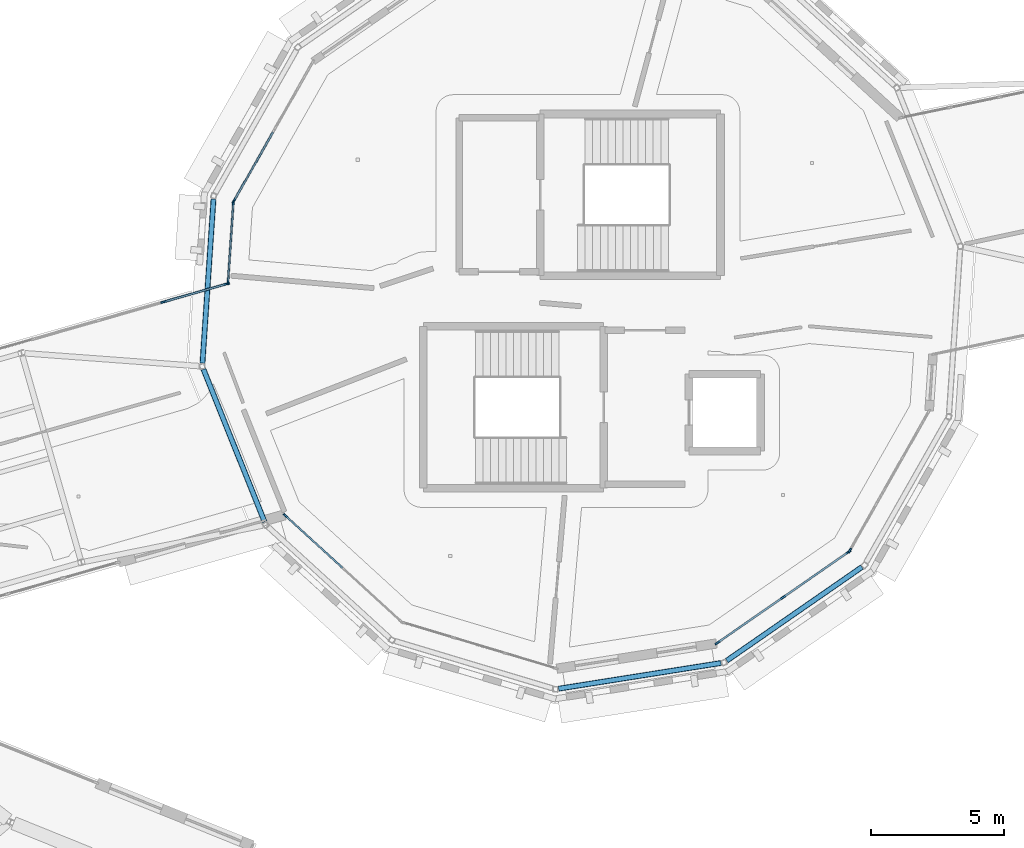
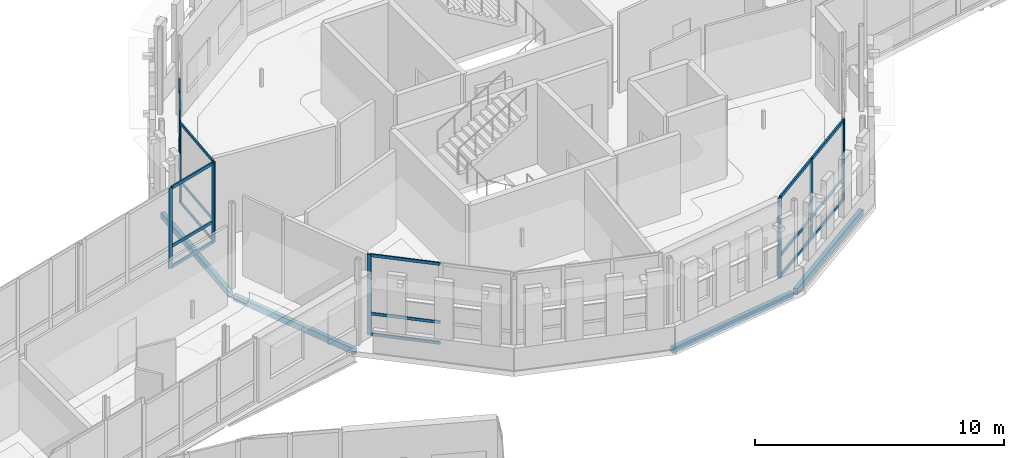
# One storey, part 48 of 125: 28 members, 4 beams, 6 elements without a shape of their own.
"""IFC4 building model written with IfcOpenShell, lengths in metres."""

from ifc_helpers import new_model, si_unit, direction, frame, origin, origin_2d, place, context, subcontext, project, spatial, rectangle, hollow_rectangle, extrude, material, material_profile, profile_set, type_object, element, aggregate, save


model = new_model("IFC4")

# Units and contexts
model_context = context("Model", 3, precision=1e-05, world=origin(), true_north=direction((0.0, 1.0)))
body_context = subcontext(model_context, "Body", "Model", "MODEL_VIEW")
ifc_project = project(units=[si_unit("LENGTHUNIT", "METRE"), si_unit("AREAUNIT", "SQUARE_METRE"), si_unit("VOLUMEUNIT", "CUBIC_METRE"), si_unit("PLANEANGLEUNIT", "RADIAN"), si_unit("MASSUNIT", "GRAM", prefix="KILO")], contexts=[model_context])

# Site, building, storey
site_placement = place(None, origin())
site = spatial("IfcSite", under=ifc_project, at=site_placement, CompositionType="ELEMENT")
building_placement = place(site_placement, origin())
building = spatial("IfcBuilding", under=site, at=building_placement, Name="Wrenclough Park School", CompositionType="ELEMENT")
storey_placement = place(building_placement, frame((0.0, 0.0, 4.199951171875)))
storey = spatial("IfcBuildingStorey", under=building, at=storey_placement, Name="L01", CompositionType="ELEMENT", Elevation=4.199951171875)

# Curtain wall, members
ifc_material_1 = material(Name="Thermally broken aluminium and low-e glass curtain wall", Category="aluminium")
curtain_wall_type_1 = type_object("IfcCurtainWallType", Name="ENV-CW-07", PredefinedType="USERDEFINED", material=ifc_material_1)
curtain_wall_1_placement = place(storey_placement, origin())
curtain_wall_1 = element("IfcCurtainWall", 1, at=curtain_wall_1_placement, inside=storey, type_object=curtain_wall_type_1, Name="L01 recessed curtain wall assembly 102", ObjectType="CURTAIN WALL", PredefinedType="USERDEFINED")
ifc_material_2 = material(Name="Thermally broken anodised aluminium", Category="aluminium")
ifc_material_profile_1 = material_profile(ifc_material_2, rectangle(XDim=0.06005859375, YDim=0.159912109375, at=origin_2d()), Name="AL MULLION 60x160")
ifc_profile_set_1 = profile_set([ifc_material_profile_1], Name="Thermally broken anodised aluminium")
member_type_1 = type_object("IfcMemberType", Name="ENV-CWM-1", PredefinedType="MULLION", material=ifc_profile_set_1)
member_1_placement = place(storey_placement, frame((69.69580078125, 109.391357421875, 0.0), z_axis=(0.0, 0.0, 1.0), x_axis=(-0.997735962983, 0.067252867383, 0.0)))
member_1 = element("IfcMember", 2, at=member_1_placement, type_object=member_type_1, Name="CW-07 mullion 1", PredefinedType="MULLION", context=body_context, shape_type="SweptSolid", body=[
    extrude(rectangle(XDim=0.06005859375, YDim=0.159912109375, at=origin_2d()), origin(), (0.0, 0.0, 1.0), 3.93994140625),
])
member_2_placement = place(storey_placement, frame((69.898681640625, 112.3994140625, 0.0), z_axis=(0.0, 0.0, 1.0), x_axis=(-0.997735962983, 0.067252867383, 0.0)))
member_2 = element("IfcMember", 3, at=member_2_placement, type_object=member_type_1, Name="CW-07 mullion 2", PredefinedType="MULLION", context=body_context, shape_type="SweptSolid", body=[
    extrude(rectangle(XDim=0.06005859375, YDim=0.159912109375, at=origin_2d()), origin(), (0.0, 0.0, 1.0), 3.93994140625),
])

# Curtain wall, member
curtain_wall_type_2 = type_object("IfcCurtainWallType", Name="ENV-CW-08", PredefinedType="USERDEFINED", material=ifc_material_1)
curtain_wall_2_placement = place(storey_placement, origin())
curtain_wall_2 = element("IfcCurtainWall", 4, at=curtain_wall_2_placement, inside=storey, type_object=curtain_wall_type_2, Name="L01 recessed curtain wall assembly 103", ObjectType="CURTAIN WALL", PredefinedType="USERDEFINED")
ifc_material_profile_2 = material_profile(ifc_material_2, rectangle(XDim=0.06494140625, YDim=0.179931640625, at=origin_2d()), Name="AL MULLION 65x180")
ifc_profile_set_2 = profile_set([ifc_material_profile_2], Name="Thermally broken anodised aluminium")
member_type_2 = type_object("IfcMemberType", Name="ENV-CWM-2", PredefinedType="MULLION", material=ifc_profile_set_2)
member_3_placement = place(storey_placement, frame((69.9189453125, 112.465087890625, 0.0), z_axis=(0.0, 0.0, 1.0), x_axis=(-0.869745456163, 0.493500599274, 0.0)))
member_3 = element("IfcMember", 5, at=member_3_placement, type_object=member_type_2, Name="CW-08 mullion 1", PredefinedType="MULLION", context=body_context, shape_type="SweptSolid", body=[
    extrude(rectangle(XDim=0.06494140625, YDim=0.179931640625, at=origin_2d()), origin(), (0.0, 0.0, 1.0), 3.93994140625),
])

curtain_wall_3_placement = place(storey_placement, origin())
curtain_wall_3 = element("IfcCurtainWall", 6, at=curtain_wall_3_placement, inside=storey, type_object=curtain_wall_type_1, Name="L01 recessed curtain wall assembly 166", ObjectType="CURTAIN WALL", PredefinedType="USERDEFINED")
member_4_placement = place(storey_placement, frame((93.113037109375, 99.30419921875, 0.0), z_axis=(0.0, 0.0, 1.0), x_axis=(0.869745456163, -0.493500599274, 0.0)))
member_4 = element("IfcMember", 7, at=member_4_placement, type_object=member_type_2, Name="CW-07 mullion 4", PredefinedType="MULLION", context=body_context, shape_type="SweptSolid", body=[
    extrude(rectangle(XDim=0.06494140625, YDim=0.179931640625, at=origin_2d()), origin(), (0.0, 0.0, 1.0), 3.93994140625),
])
aggregate(curtain_wall_3, [member_4])

curtain_wall_type_3 = type_object("IfcCurtainWallType", Name="ENV-CW-10", PredefinedType="USERDEFINED", material=ifc_material_1)
curtain_wall_4_placement = place(storey_placement, origin())
curtain_wall_4 = element("IfcCurtainWall", 8, at=curtain_wall_4_placement, inside=storey, type_object=curtain_wall_type_3, Name="L01 recessed curtain wall assembly 169", ObjectType="CURTAIN WALL", PredefinedType="USERDEFINED")
member_5_placement = place(storey_placement, frame((71.853271484375, 100.623779296875, 0.0), z_axis=(0.0, 0.0, 1.0), x_axis=(-0.67466857393, -0.738120799972, 0.0)))
member_5 = element("IfcMember", 9, at=member_5_placement, type_object=member_type_2, Name="CW-10 mullion 3", PredefinedType="MULLION", context=body_context, shape_type="SweptSolid", body=[
    extrude(rectangle(XDim=0.06494140625, YDim=0.179931640625, at=origin_2d()), origin(), (0.0, 0.0, 1.0), 3.93994140625),
])

# Curtain wall, members
curtain_wall_type_4 = type_object("IfcCurtainWallType", Name="ENV-CW-06", PredefinedType="USERDEFINED", material=ifc_material_1)
curtain_wall_5_placement = place(storey_placement, origin())
curtain_wall_5 = element("IfcCurtainWall", 10, at=curtain_wall_5_placement, inside=storey, type_object=curtain_wall_type_4, Name="L01 recessed curtain wall assembly 101", ObjectType="CURTAIN WALL", PredefinedType="USERDEFINED")
ifc_material_profile_3 = material_profile(ifc_material_2, rectangle(XDim=0.070068359375, YDim=0.199951171875, at=origin_2d()), Name="AL MULLION 70x200")
ifc_profile_set_3 = profile_set([ifc_material_profile_3], Name="Thermally broken anodised aluminium")
member_type_3 = type_object("IfcMemberType", Name="ENV-CWM-3", PredefinedType="MULLION", material=ifc_profile_set_3)
member_6_placement = place(storey_placement, frame((67.264404296875, 108.663330078125, 0.0), z_axis=(0.0, 0.0, 1.0), x_axis=(-0.274714146361, 0.961525942338, 0.0)))
member_6 = element("IfcMember", 11, at=member_6_placement, type_object=member_type_3, Name="CW-06 mullion 3", PredefinedType="MULLION", context=body_context, shape_type="SweptSolid", body=[
    extrude(rectangle(XDim=0.070068359375, YDim=0.199951171875, at=origin_2d()), origin(), (0.0, 0.0, 1.0), 3.93994140625),
])
member_7_placement = place(storey_placement, frame((69.656005859375, 109.3466796875, 0.0), z_axis=(0.0, 0.0, 1.0), x_axis=(-0.274714146361, 0.961525942338, 0.0)))
member_7 = element("IfcMember", 12, at=member_7_placement, type_object=member_type_3, Name="CW-06 mullion 4", PredefinedType="MULLION", context=body_context, shape_type="SweptSolid", body=[
    extrude(rectangle(XDim=0.070068359375, YDim=0.199951171875, at=origin_2d()), origin(), (0.0, 0.0, 1.0), 3.93994140625),
])

curtain_wall_6_placement = place(storey_placement, origin())
curtain_wall_6 = element("IfcCurtainWall", 13, at=curtain_wall_6_placement, inside=storey, type_object=curtain_wall_type_2, Name="L01 recessed curtain wall assembly 167", ObjectType="CURTAIN WALL", PredefinedType="USERDEFINED")
member_8_placement = place(storey_placement, frame((93.06298828125, 99.250244140625, 0.0), z_axis=(0.0, 0.0, 1.0), x_axis=(0.569486266638, -0.822000846783, 0.0)))
member_8 = element("IfcMember", 14, at=member_8_placement, type_object=member_type_3, Name="CW-08 mullion 1", PredefinedType="MULLION", context=body_context, shape_type="SweptSolid", body=[
    extrude(rectangle(XDim=0.070068359375, YDim=0.199951171875, at=origin_2d()), origin(), (0.0, 0.0, 1.0), 3.93994140625),
])
member_9_placement = place(storey_placement, frame((90.593505859375, 97.539306640625, 0.0), z_axis=(0.0, 0.0, 1.0), x_axis=(0.569486266638, -0.822000846783, 0.0)))
member_9 = element("IfcMember", 15, at=member_9_placement, type_object=member_type_3, Name="CW-08 mullion 2", PredefinedType="MULLION", context=body_context, shape_type="SweptSolid", body=[
    extrude(rectangle(XDim=0.070068359375, YDim=0.199951171875, at=origin_2d()), origin(), (0.0, 0.0, 1.0), 3.93994140625),
])
member_10_placement = place(storey_placement, frame((88.1240234375, 95.828369140625, 0.0), z_axis=(0.0, 0.0, 1.0), x_axis=(0.569486266638, -0.822000846783, 0.0)))
member_10 = element("IfcMember", 16, at=member_10_placement, type_object=member_type_3, Name="CW-08 mullion 3", PredefinedType="MULLION", context=body_context, shape_type="SweptSolid", body=[
    extrude(rectangle(XDim=0.070068359375, YDim=0.199951171875, at=origin_2d()), origin(), (0.0, 0.0, 1.0), 3.93994140625),
])

# Member
ifc_material_profile_4 = material_profile(ifc_material_2, rectangle(XDim=0.06005859375, YDim=0.1201171875, at=origin_2d()), Name="AL TRANSOM 60x120")
ifc_profile_set_4 = profile_set([ifc_material_profile_4], Name="Thermally broken anodised aluminium")
member_type_4 = type_object("IfcMemberType", Name="ENV-CWT-1", PredefinedType="USERDEFINED", material=ifc_profile_set_4)
member_11_placement = place(storey_placement, frame((69.69775390625, 109.421142578125, 0.030029296875), z_axis=(0.067248267471, 0.997736273031, 0.0), x_axis=(-0.997736273031, 0.067248267471, 0.0)))
member_11 = element("IfcMember", 17, at=member_11_placement, type_object=member_type_4, Name="CW-07 transom 1.1", ObjectType="TRANSOM", PredefinedType="USERDEFINED", context=body_context, shape_type="SweptSolid", body=[
    extrude(rectangle(XDim=0.06005859375, YDim=0.1201171875, at=origin_2d()), origin(), (0.0, 0.0, 1.0), 2.955078125),
])

member_12_placement = place(storey_placement, frame((69.69775390625, 109.421142578125, 1.050048828125), z_axis=(0.067248267471, 0.997736273031, 0.0), x_axis=(-0.997736273031, 0.067248267471, 0.0)))
member_12 = element("IfcMember", 18, at=member_12_placement, type_object=member_type_4, Name="CW-07 transom 1.2", ObjectType="TRANSOM", PredefinedType="USERDEFINED", context=body_context, shape_type="SweptSolid", body=[
    extrude(rectangle(XDim=0.06005859375, YDim=0.1201171875, at=origin_2d()), origin(), (0.0, 0.0, 1.0), 2.955078125),
])

member_13_placement = place(storey_placement, frame((69.69775390625, 109.421142578125, 3.91015625), z_axis=(0.067248267471, 0.997736273031, 0.0), x_axis=(-0.997736273031, 0.067248267471, 0.0)))
member_13 = element("IfcMember", 19, at=member_13_placement, type_object=member_type_4, Name="CW-07 transom 1.3", ObjectType="TRANSOM", PredefinedType="USERDEFINED", context=body_context, shape_type="SweptSolid", body=[
    extrude(rectangle(XDim=0.06005859375, YDim=0.1201171875, at=origin_2d()), origin(), (0.0, 0.0, 1.0), 2.955078125),
])

aggregate(curtain_wall_1, [member_1, member_2, member_11, member_12, member_13])

ifc_material_profile_5 = material_profile(ifc_material_2, rectangle(XDim=0.06494140625, YDim=0.139892578125, at=origin_2d()), Name="AL TRANSOM 65x140")
ifc_profile_set_5 = profile_set([ifc_material_profile_5], Name="Thermally broken anodised aluminium")
member_type_5 = type_object("IfcMemberType", Name="ENV-CWT-2", PredefinedType="USERDEFINED", material=ifc_profile_set_5)
member_14_placement = place(storey_placement, frame((69.93505859375, 112.493408203125, 0.032470703125), z_axis=(0.493500342826, 0.869745601674, 0.0), x_axis=(-0.869745601674, 0.493500342826, 0.0)))
member_14 = element("IfcMember", 20, at=member_14_placement, type_object=member_type_5, Name="CW-08 transom 1.1", ObjectType="TRANSOM", PredefinedType="USERDEFINED", context=body_context, shape_type="SweptSolid", body=[
    extrude(rectangle(XDim=0.06494140625, YDim=0.139892578125, at=origin_2d()), origin(), (0.0, 0.0, 1.0), 2.942138671875),
])

member_15_placement = place(storey_placement, frame((69.93505859375, 112.493408203125, 1.050048828125), z_axis=(0.493500342826, 0.869745601674, 0.0), x_axis=(-0.869745601674, 0.493500342826, 0.0)))
member_15 = element("IfcMember", 21, at=member_15_placement, type_object=member_type_5, Name="CW-08 transom 1.2", ObjectType="TRANSOM", PredefinedType="USERDEFINED", context=body_context, shape_type="SweptSolid", body=[
    extrude(rectangle(XDim=0.06494140625, YDim=0.139892578125, at=origin_2d()), origin(), (0.0, 0.0, 1.0), 2.942138671875),
])

member_16_placement = place(storey_placement, frame((69.93505859375, 112.493408203125, 3.907470703125), z_axis=(0.493500342826, 0.869745601674, 0.0), x_axis=(-0.869745601674, 0.493500342826, 0.0)))
member_16 = element("IfcMember", 22, at=member_16_placement, type_object=member_type_5, Name="CW-08 transom 1.3", ObjectType="TRANSOM", PredefinedType="USERDEFINED", context=body_context, shape_type="SweptSolid", body=[
    extrude(rectangle(XDim=0.06494140625, YDim=0.139892578125, at=origin_2d()), origin(), (0.0, 0.0, 1.0), 2.942138671875),
])

aggregate(curtain_wall_2, [member_3, member_14, member_15, member_16])

member_17_placement = place(storey_placement, frame((74.014404296875, 98.6484375, 0.032470703125), z_axis=(-0.738101997334, 0.67468914437, 0.0), x_axis=(-0.67468914437, -0.738101997334, 0.0)))
member_17 = element("IfcMember", 23, at=member_17_placement, type_object=member_type_5, Name="CW-10 transom 2.1", ObjectType="TRANSOM", PredefinedType="USERDEFINED", context=body_context, shape_type="SweptSolid", body=[
    extrude(rectangle(XDim=0.06494140625, YDim=0.139892578125, at=origin_2d()), origin(), (0.0, 0.0, 1.0), 2.895263671875),
])

member_18_placement = place(storey_placement, frame((74.014404296875, 98.6484375, 1.050048828125), z_axis=(-0.738101997334, 0.67468914437, 0.0), x_axis=(-0.67468914437, -0.738101997334, 0.0)))
member_18 = element("IfcMember", 24, at=member_18_placement, type_object=member_type_5, Name="CW-10 transom 2.2", ObjectType="TRANSOM", PredefinedType="USERDEFINED", context=body_context, shape_type="SweptSolid", body=[
    extrude(rectangle(XDim=0.06494140625, YDim=0.139892578125, at=origin_2d()), origin(), (0.0, 0.0, 1.0), 2.895263671875),
])

member_19_placement = place(storey_placement, frame((74.014404296875, 98.6484375, 3.907470703125), z_axis=(-0.738101997334, 0.67468914437, 0.0), x_axis=(-0.67468914437, -0.738101997334, 0.0)))
member_19 = element("IfcMember", 25, at=member_19_placement, type_object=member_type_5, Name="CW-10 transom 2.3", ObjectType="TRANSOM", PredefinedType="USERDEFINED", context=body_context, shape_type="SweptSolid", body=[
    extrude(rectangle(XDim=0.06494140625, YDim=0.139892578125, at=origin_2d()), origin(), (0.0, 0.0, 1.0), 2.895263671875),
])

aggregate(curtain_wall_4, [member_5, member_17, member_18, member_19])

ifc_material_profile_6 = material_profile(ifc_material_2, rectangle(XDim=0.070068359375, YDim=0.14990234375, at=origin_2d()), Name="AL TRANSOM 70x150")
ifc_profile_set_6 = profile_set([ifc_material_profile_6], Name="Thermally broken anodised aluminium")
member_type_6 = type_object("IfcMemberType", Name="ENV-CWT-3", PredefinedType="USERDEFINED", material=ifc_profile_set_6)
member_20_placement = place(storey_placement, frame((67.298095703125, 108.673095703125, 0.03515625), z_axis=(0.961523947641, 0.274721127897, 0.0), x_axis=(-0.274721127897, 0.961523947641, 0.0)))
member_20 = element("IfcMember", 26, at=member_20_placement, type_object=member_type_6, Name="CW-06 transom 3.1", ObjectType="TRANSOM", PredefinedType="USERDEFINED", context=body_context, shape_type="SweptSolid", body=[
    extrude(rectangle(XDim=0.070068359375, YDim=0.14990234375, at=origin_2d()), origin(), (0.0, 0.0, 1.0), 2.417236328125),
])

member_21_placement = place(storey_placement, frame((67.298095703125, 108.673095703125, 1.050048828125), z_axis=(0.961523947641, 0.274721127897, 0.0), x_axis=(-0.274721127897, 0.961523947641, 0.0)))
member_21 = element("IfcMember", 27, at=member_21_placement, type_object=member_type_6, Name="CW-06 transom 3.2", ObjectType="TRANSOM", PredefinedType="USERDEFINED", context=body_context, shape_type="SweptSolid", body=[
    extrude(rectangle(XDim=0.070068359375, YDim=0.14990234375, at=origin_2d()), origin(), (0.0, 0.0, 1.0), 2.417236328125),
])

member_22_placement = place(storey_placement, frame((67.298095703125, 108.673095703125, 3.905029296875), z_axis=(0.961523947641, 0.274721127897, 0.0), x_axis=(-0.274721127897, 0.961523947641, 0.0)))
member_22 = element("IfcMember", 28, at=member_22_placement, type_object=member_type_6, Name="CW-06 transom 3.3", ObjectType="TRANSOM", PredefinedType="USERDEFINED", context=body_context, shape_type="SweptSolid", body=[
    extrude(rectangle(XDim=0.070068359375, YDim=0.14990234375, at=origin_2d()), origin(), (0.0, 0.0, 1.0), 2.417236328125),
])

aggregate(curtain_wall_5, [member_6, member_7, member_20, member_21, member_22])

member_23_placement = place(storey_placement, frame((93.0341796875, 99.230224609375, 0.03515625), z_axis=(-0.822009425047, -0.569473884505, 0.0), x_axis=(0.569473884505, -0.822009425047, 0.0)))
member_23 = element("IfcMember", 29, at=member_23_placement, type_object=member_type_6, Name="CW-08 transom 1.1", ObjectType="TRANSOM", PredefinedType="USERDEFINED", context=body_context, shape_type="SweptSolid", body=[
    extrude(rectangle(XDim=0.070068359375, YDim=0.14990234375, at=origin_2d()), origin(), (0.0, 0.0, 1.0), 2.93408203125),
])

member_24_placement = place(storey_placement, frame((93.0341796875, 99.230224609375, 1.050048828125), z_axis=(-0.822009425047, -0.569473884505, 0.0), x_axis=(0.569473884505, -0.822009425047, 0.0)))
member_24 = element("IfcMember", 30, at=member_24_placement, type_object=member_type_6, Name="CW-08 transom 1.2", ObjectType="TRANSOM", PredefinedType="USERDEFINED", context=body_context, shape_type="SweptSolid", body=[
    extrude(rectangle(XDim=0.070068359375, YDim=0.14990234375, at=origin_2d()), origin(), (0.0, 0.0, 1.0), 2.93408203125),
])

member_25_placement = place(storey_placement, frame((93.0341796875, 99.230224609375, 3.905029296875), z_axis=(-0.822009425047, -0.569473884505, 0.0), x_axis=(0.569473884505, -0.822009425047, 0.0)))
member_25 = element("IfcMember", 31, at=member_25_placement, type_object=member_type_6, Name="CW-08 transom 1.3", ObjectType="TRANSOM", PredefinedType="USERDEFINED", context=body_context, shape_type="SweptSolid", body=[
    extrude(rectangle(XDim=0.070068359375, YDim=0.14990234375, at=origin_2d()), origin(), (0.0, 0.0, 1.0), 2.93408203125),
])

member_26_placement = place(storey_placement, frame((90.564697265625, 97.519287109375, 0.03515625), z_axis=(-0.822009425047, -0.569473884505, 0.0), x_axis=(0.569473884505, -0.822009425047, 0.0)))
member_26 = element("IfcMember", 32, at=member_26_placement, type_object=member_type_6, Name="CW-08 transom 2.1", ObjectType="TRANSOM", PredefinedType="USERDEFINED", context=body_context, shape_type="SweptSolid", body=[
    extrude(rectangle(XDim=0.070068359375, YDim=0.14990234375, at=origin_2d()), origin(), (0.0, 0.0, 1.0), 2.93408203125),
])

member_27_placement = place(storey_placement, frame((90.564697265625, 97.519287109375, 1.050048828125), z_axis=(-0.822009425047, -0.569473884505, 0.0), x_axis=(0.569473884505, -0.822009425047, 0.0)))
member_27 = element("IfcMember", 33, at=member_27_placement, type_object=member_type_6, Name="CW-08 transom 2.2", ObjectType="TRANSOM", PredefinedType="USERDEFINED", context=body_context, shape_type="SweptSolid", body=[
    extrude(rectangle(XDim=0.070068359375, YDim=0.14990234375, at=origin_2d()), origin(), (0.0, 0.0, 1.0), 2.93408203125),
])

member_28_placement = place(storey_placement, frame((90.564697265625, 97.519287109375, 3.905029296875), z_axis=(-0.822009425047, -0.569473884505, 0.0), x_axis=(0.569473884505, -0.822009425047, 0.0)))
member_28 = element("IfcMember", 34, at=member_28_placement, type_object=member_type_6, Name="CW-08 transom 2.3", ObjectType="TRANSOM", PredefinedType="USERDEFINED", context=body_context, shape_type="SweptSolid", body=[
    extrude(rectangle(XDim=0.070068359375, YDim=0.14990234375, at=origin_2d()), origin(), (0.0, 0.0, 1.0), 2.93408203125),
])

aggregate(curtain_wall_6, [member_8, member_9, member_10, member_23, member_24, member_25, member_26, member_27, member_28])

# Beams
ifc_material_3 = material(Name="Structural steel S355", Category="steel")
ifc_material_profile_7 = material_profile(ifc_material_3, hollow_rectangle(XDim=0.199951171875, YDim=0.300048828125, WallThickness=0.012451171875, InnerFilletRadius=0.012451171875, OuterFilletRadius=0.018798828125, at=origin_2d()), Name="RHS 300x200x12.5")
ifc_profile_set_7 = profile_set([ifc_material_profile_7], Name="Structural steel S355")
beam_type = type_object("IfcBeamType", Name="STR-BM-RHS300", PredefinedType="SPANDREL", material=ifc_profile_set_7)
for number, where, z_axis, x_axis, name in (
    (35, (69.15234375, 112.5361328125, -0.39990234375), (-0.067236146332, -0.997737089932, 0.0), (0.997737089932, -0.067236146332, 0.0), "D4 L01 outer ring spandrel beam 7"),
    (36, (68.772705078125, 106.128173828125, -0.39990234375), (0.37227441502, -0.928122707362, 0.0), (0.928122707362, 0.37227441502, 0.0), "D4 L01 outer ring spandrel beam 8"),
):
    element("IfcBeam", number, at=place(storey_placement, frame(where, z_axis=z_axis, x_axis=x_axis)), inside=storey, type_object=beam_type, Name=name, PredefinedType="SPANDREL", context=body_context, shape_type="SweptSolid", body=[
        extrude(hollow_rectangle(XDim=0.199951171875, YDim=0.300048828125, WallThickness=0.012451171875, InnerFilletRadius=0.012451171875, OuterFilletRadius=0.018798828125, at=origin_2d()), origin(), (0.0, 0.0, 1.0), 6.19091796875),
    ])
beam_1_placement = place(storey_placement, frame((82.146484375, 94.1015625, -0.39990234375), z_axis=(0.987692838925, 0.156406061057, 0.0), x_axis=(-0.156406061057, 0.987692838925, 0.0)))
element("IfcBeam", 37, at=beam_1_placement, inside=storey, type_object=beam_type, Name="D4 L01 outer ring spandrel beam 11", PredefinedType="SPANDREL", context=body_context, shape_type="SweptSolid", body=[
    extrude(hollow_rectangle(XDim=0.199951171875, YDim=0.300048828125, WallThickness=0.012451171875, InnerFilletRadius=0.012451171875, OuterFilletRadius=0.018798828125, at=origin_2d()), origin(), (0.0, 0.0, 1.0), 6.190673828125),
])
beam_2_placement = place(storey_placement, frame((88.478271484375, 95.156982421875, -0.39990234375), z_axis=(0.821997646793, 0.569490885499, 0.0), x_axis=(-0.569490885499, 0.821997646793, 0.0)))
element("IfcBeam", 38, at=beam_2_placement, inside=storey, type_object=beam_type, Name="D4 L01 outer ring spandrel beam 12", PredefinedType="SPANDREL", context=body_context, shape_type="SweptSolid", body=[
    extrude(hollow_rectangle(XDim=0.199951171875, YDim=0.300048828125, WallThickness=0.012451171875, InnerFilletRadius=0.012451171875, OuterFilletRadius=0.018798828125, at=origin_2d()), origin(), (0.0, 0.0, 1.0), 6.19091796875),
])

save(model, "model.ifc")
